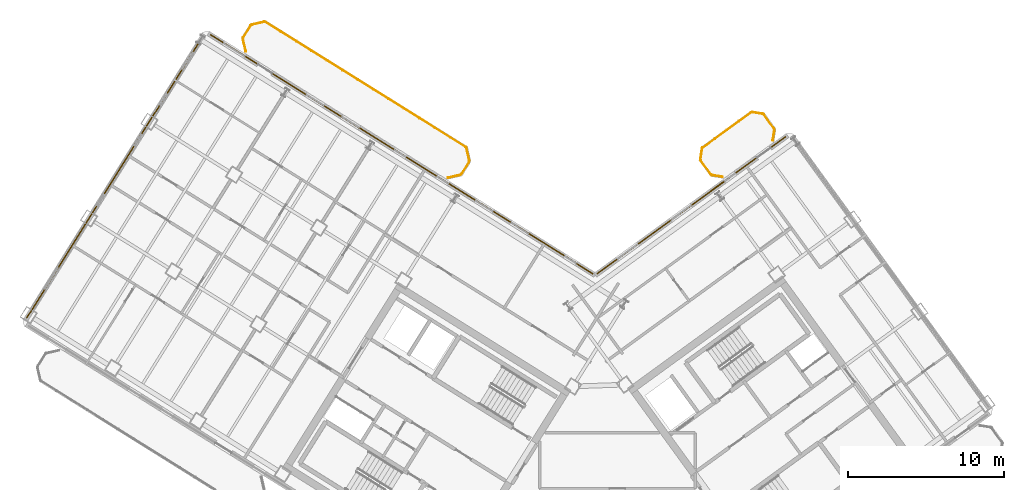
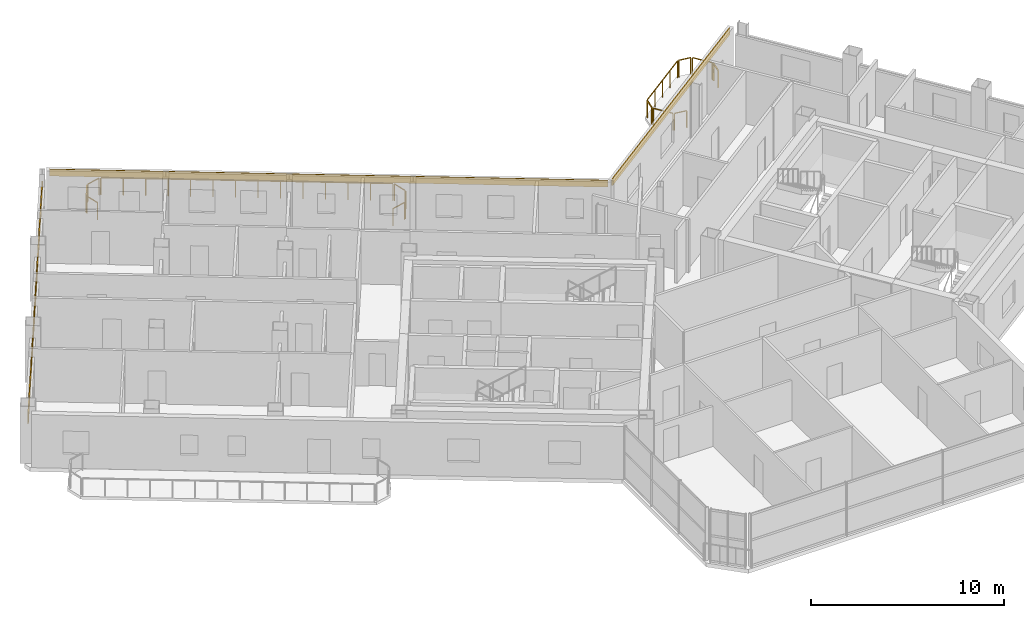
# One storey, part 21 of 21: 14 railings, 3 coverings.
"""IFC4 building model written with IfcOpenShell, lengths in metres."""

from ifc_helpers import new_model, si_unit, direction, frame, origin, origin_2d, place, context, subcontext, project, spatial, rectangle, extrude, source, transform, mapped, material, layer, layer_set, type_object, element, save


model = new_model("IFC4")

# Units and contexts
model_context = context("Model", 3, precision=1e-05, world=origin(), true_north=direction((0.0, 1.0)))
body_context = subcontext(model_context, "Body", "Model", "MODEL_VIEW")
ifc_project = project(units=[si_unit("LENGTHUNIT", "METRE"), si_unit("AREAUNIT", "SQUARE_METRE"), si_unit("VOLUMEUNIT", "CUBIC_METRE"), si_unit("PLANEANGLEUNIT", "RADIAN"), si_unit("MASSUNIT", "GRAM", prefix="KILO")], contexts=[model_context])

# Site, building, storey
site_placement = place(None, origin())
site = spatial("IfcSite", under=ifc_project, at=site_placement, CompositionType="ELEMENT")
building_placement = place(site_placement, origin())
building = spatial("IfcBuilding", under=site, at=building_placement, Name="Tlacorven Tower", CompositionType="ELEMENT")
storey_placement = place(building_placement, frame((0.0, 0.0, 222.0)))
storey = spatial("IfcBuildingStorey", under=building, at=storey_placement, Name="L56", CompositionType="ELEMENT", Elevation=222.0)

# Railings
ifc_material_1 = material(Name="Aluminium and painted steel balustrade", Category="steel")
railing_type = type_object("IfcRailingType", Name="RL-BAL-1100", PredefinedType="BALUSTRADE", material=ifc_material_1)
shared_shape_1 = source(origin(), body_context, "Body", "SweptSolid", [
    extrude(rectangle(XDim=0.048095703125, YDim=0.048095703125, at=origin_2d()), frame((0.0, 0.0, 1.076171875), z_axis=(0.974345290916, 0.225058334816, 0.0), x_axis=(-0.225058334816, 0.974345290916, 0.0)), (0.0, 0.0, 1.0), 0.80712890625),
    extrude(rectangle(XDim=0.0419921875, YDim=0.0419921875, at=origin_2d()), origin(), (0.0, 0.0, 1.0), 1.052001953125),
    extrude(rectangle(XDim=0.0419921875, YDim=0.0419921875, at=origin_2d()), frame((0.786376953125, 0.181640625, 0.0)), (0.0, 0.0, 1.0), 1.052001953125),
])
railing_1_placement = place(storey_placement, frame((20.2138671875, 47.643798828125, 0.0)))
element("IfcRailing", 1, at=railing_1_placement, inside=storey, type_object=railing_type, Name="BAL-L56-W-IN Guard Railing 6", PredefinedType="BALUSTRADE", context=body_context, shape_type="MappedRepresentation", body=[
    mapped(shared_shape_1, transform((0.0, 0.0, 0.0), scale=1.0)),
])
shared_shape_2 = source(origin(), body_context, "Body", "SweptSolid", [
    extrude(rectangle(XDim=0.048095703125, YDim=0.048095703125, at=origin_2d()), frame((0.0, 0.0, 1.076171875), z_axis=(-0.987661653326, 0.156602868908, 0.0), x_axis=(-0.156602868908, -0.987661653326, 0.0)), (0.0, 0.0, 1.0), 0.665771484375),
    extrude(rectangle(XDim=0.0419921875, YDim=0.0419921875, at=origin_2d()), origin(), (0.0, 0.0, 1.0), 1.052001953125),
    extrude(rectangle(XDim=0.0419921875, YDim=0.0419921875, at=origin_2d()), frame((-0.657470703125, 0.104248046875, 0.0)), (0.0, 0.0, 1.0), 1.052001953125),
])
railing_2_placement = place(storey_placement, frame((50.359130859375, 37.891845703125, 0.0)))
element("IfcRailing", 2, at=railing_2_placement, inside=storey, type_object=railing_type, Name="BAL-L56-E-IN Guard Railing 1", PredefinedType="BALUSTRADE", context=body_context, shape_type="MappedRepresentation", body=[
    mapped(shared_shape_2, transform((0.0, 0.0, 0.0), scale=1.0)),
])
shared_shape_3 = source(origin(), body_context, "Body", "SweptSolid", [
    extrude(rectangle(XDim=0.048095703125, YDim=0.048095703125, at=origin_2d()), frame((0.0, 0.0, 1.076171875), z_axis=(0.156602868908, 0.987661653326, 0.0), x_axis=(-0.987661653326, 0.156602868908, 0.0)), (0.0, 0.0, 1.0), 0.665771484375),
    extrude(rectangle(XDim=0.0419921875, YDim=0.0419921875, at=origin_2d()), origin(), (0.0, 0.0, 1.0), 1.052001953125),
    extrude(rectangle(XDim=0.0419921875, YDim=0.0419921875, at=origin_2d()), frame((0.104248046875, 0.657470703125, 0.0)), (0.0, 0.0, 1.0), 1.052001953125),
])
railing_3_placement = place(storey_placement, frame((48.947509765625, 39.033935546875, 0.0)))
element("IfcRailing", 3, at=railing_3_placement, inside=storey, type_object=railing_type, Name="BAL-L56-E-IN Guard Railing 3", PredefinedType="BALUSTRADE", context=body_context, shape_type="MappedRepresentation", body=[
    mapped(shared_shape_3, transform((0.0, 0.0, 0.0), scale=1.0)),
])
shared_shape_4 = source(origin(), body_context, "Body", "SweptSolid", [
    extrude(rectangle(XDim=0.048095703125, YDim=0.048095703125, at=origin_2d()), frame((0.0, 0.0, 1.076171875), z_axis=(-0.156245081039, -0.987718317463, 0.0), x_axis=(0.987718317463, -0.156245081039, 0.0)), (0.0, 0.0, 1.0), 0.66552734375),
    extrude(rectangle(XDim=0.0419921875, YDim=0.0419921875, at=origin_2d()), origin(), (0.0, 0.0, 1.0), 1.052001953125),
    extrude(rectangle(XDim=0.0419921875, YDim=0.0419921875, at=origin_2d()), frame((-0.10400390625, -0.657470703125, 0.0)), (0.0, 0.0, 1.0), 1.052001953125),
])
railing_4_placement = place(storey_placement, frame((53.689453125, 40.893310546875, 0.0)))
element("IfcRailing", 4, at=railing_4_placement, inside=storey, type_object=railing_type, Name="BAL-L56-E-IN Guard Railing 7", PredefinedType="BALUSTRADE", context=body_context, shape_type="MappedRepresentation", body=[
    mapped(shared_shape_4, transform((0.0, 0.0, 0.0), scale=1.0)),
])

# Covering
ifc_material_2 = material(Name="Precast concrete C45/55", Category="concrete")
ifc_layer = layer(ifc_material_2, 0.06005859375)
ifc_layer_set = layer_set([ifc_layer], Name="Precast concrete C45/55")
covering_type = type_object("IfcCoveringType", Name="CV-CLD-TERC", PredefinedType="CLADDING", material=ifc_layer_set)
shared_shape_5 = source(origin(), body_context, "Body", "SweptSolid", [
    extrude(rectangle(XDim=21.287353515625, YDim=0.06005859375, at=origin_2d()), origin(), (0.0, 0.0, 1.0), 0.419921875),
])
covering_1_placement = place(storey_placement, frame((11.419677734375, 37.864013671875, 2.405029296875), z_axis=(0.0, 0.0, 1.0), x_axis=(0.529919147866, 0.848048168871, 0.0)))
element("IfcCovering", 5, at=covering_1_placement, inside=storey, type_object=covering_type, Name="L56 Masonry-Frame Spandrel Cladding 2", PredefinedType="CLADDING", context=body_context, shape_type="MappedRepresentation", body=[
    mapped(shared_shape_5, transform((0.0, 0.0, 0.0), scale=1.0)),
])

# Railings
shared_shape_6 = source(origin(), body_context, "Body", "SweptSolid", [
    extrude(rectangle(XDim=0.048095703125, YDim=0.048095703125, at=origin_2d()), frame((0.0, 0.0, 1.076171875), z_axis=(0.529998940003, 0.847998304005, 0.0), x_axis=(-0.847998304005, 0.529998940003, 0.0)), (0.0, 0.0, 1.0), 0.912109375),
    extrude(rectangle(XDim=0.0419921875, YDim=0.0419921875, at=origin_2d()), origin(), (0.0, 0.0, 1.0), 1.052001953125),
    extrude(rectangle(XDim=0.0419921875, YDim=0.0419921875, at=origin_2d()), frame((0.4833984375, 0.7734375, 0.0)), (0.0, 0.0, 1.0), 1.052001953125),
])
railing_5_placement = place(storey_placement, frame((19.6552734375, 46.816650390625, 0.0)))
element("IfcRailing", 6, at=railing_5_placement, inside=storey, type_object=railing_type, Name="BAL-L56-W-IN Guard Railing 5", PredefinedType="BALUSTRADE", context=body_context, shape_type="MappedRepresentation", body=[
    mapped(shared_shape_6, transform((0.0, 0.0, 0.0), scale=1.0)),
])
shared_shape_7 = source(origin(), body_context, "Body", "SweptSolid", [
    extrude(rectangle(XDim=0.048095703125, YDim=0.048095703125, at=origin_2d()), frame((0.0, 0.0, 1.076171875), z_axis=(0.224992020761, -0.974360606036, 0.0), x_axis=(0.974360606036, 0.224992020761, 0.0)), (0.0, 0.0, 1.0), 0.807373046875),
    extrude(rectangle(XDim=0.0419921875, YDim=0.0419921875, at=origin_2d()), origin(), (0.0, 0.0, 1.0), 1.052001953125),
    extrude(rectangle(XDim=0.0419921875, YDim=0.0419921875, at=origin_2d()), frame((0.181640625, -0.78662109375, 0.0)), (0.0, 0.0, 1.0), 1.052001953125),
])
railing_6_placement = place(storey_placement, frame((33.965087890625, 39.72412109375, 0.0)))
element("IfcRailing", 7, at=railing_6_placement, inside=storey, type_object=railing_type, Name="BAL-L56-W-IN Guard Railing 1", PredefinedType="BALUSTRADE", context=body_context, shape_type="MappedRepresentation", body=[
    mapped(shared_shape_7, transform((0.0, 0.0, 0.0), scale=1.0)),
])
shared_shape_8 = source(origin(), body_context, "Body", "SweptSolid", [
    extrude(rectangle(XDim=0.048095703125, YDim=0.048095703125, at=origin_2d()), frame((0.0, 0.0, 1.076171875), z_axis=(-0.529998940003, -0.847998304005, 0.0), x_axis=(0.847998304005, -0.529998940003, 0.0)), (0.0, 0.0, 1.0), 0.912109375),
    extrude(rectangle(XDim=0.0419921875, YDim=0.0419921875, at=origin_2d()), origin(), (0.0, 0.0, 1.0), 1.052001953125),
    extrude(rectangle(XDim=0.0419921875, YDim=0.0419921875, at=origin_2d()), frame((-0.4833984375, -0.7734375, 0.0)), (0.0, 0.0, 1.0), 1.052001953125),
])
railing_7_placement = place(storey_placement, frame((34.131591796875, 38.846435546875, 0.0)))
element("IfcRailing", 8, at=railing_7_placement, inside=storey, type_object=railing_type, Name="BAL-L56-W-IN Guard Railing 2", PredefinedType="BALUSTRADE", context=body_context, shape_type="MappedRepresentation", body=[
    mapped(shared_shape_8, transform((0.0, 0.0, 0.0), scale=1.0)),
])
shared_shape_9 = source(origin(), body_context, "Body", "SweptSolid", [
    extrude(rectangle(XDim=0.048095703125, YDim=0.048095703125, at=origin_2d()), frame((0.0, 0.0, 1.076171875), z_axis=(-0.974360606036, -0.224992020761, 0.0), x_axis=(0.224992020761, -0.974360606036, 0.0)), (0.0, 0.0, 1.0), 0.807373046875),
    extrude(rectangle(XDim=0.0419921875, YDim=0.0419921875, at=origin_2d()), origin(), (0.0, 0.0, 1.0), 1.052001953125),
    extrude(rectangle(XDim=0.0419921875, YDim=0.0419921875, at=origin_2d()), frame((-0.78662109375, -0.181640625, 0.0)), (0.0, 0.0, 1.0), 1.052001953125),
])
railing_8_placement = place(storey_placement, frame((33.572998046875, 38.019287109375, 0.0)))
element("IfcRailing", 9, at=railing_8_placement, inside=storey, type_object=railing_type, Name="BAL-L56-W-IN Guard Railing 3", PredefinedType="BALUSTRADE", context=body_context, shape_type="MappedRepresentation", body=[
    mapped(shared_shape_9, transform((0.0, 0.0, 0.0), scale=1.0)),
])
shared_shape_10 = source(origin(), body_context, "Body", "SweptSolid", [
    extrude(rectangle(XDim=0.048095703125, YDim=0.048095703125, at=origin_2d()), frame((0.0, 0.0, 1.076171875), z_axis=(-0.22470489119, 0.974426863277, 0.0), x_axis=(-0.974426863277, -0.22470489119, 0.0)), (0.0, 0.0, 1.0), 0.807373046875),
    extrude(rectangle(XDim=0.0419921875, YDim=0.0419921875, at=origin_2d()), origin(), (0.0, 0.0, 1.0), 1.052001953125),
    extrude(rectangle(XDim=0.0419921875, YDim=0.0419921875, at=origin_2d()), frame((-0.181396484375, 0.78662109375, 0.0)), (0.0, 0.0, 1.0), 1.052001953125),
])
railing_9_placement = place(storey_placement, frame((19.821533203125, 45.93896484375, 0.0)))
element("IfcRailing", 10, at=railing_9_placement, inside=storey, type_object=railing_type, Name="BAL-L56-W-IN Guard Railing 4", PredefinedType="BALUSTRADE", context=body_context, shape_type="MappedRepresentation", body=[
    mapped(shared_shape_10, transform((0.0, 0.0, 0.0), scale=1.0)),
])
shared_shape_11 = source(origin(), body_context, "Body", "SweptSolid", [
    extrude(rectangle(XDim=0.048095703125, YDim=0.048095703125, at=origin_2d()), frame((0.0, 0.0, 1.076171875), z_axis=(0.848051830527, -0.529913287944, 0.0), x_axis=(0.529913287944, 0.848051830527, 0.0)), (0.0, 0.0, 1.0), 15.1171875),
    extrude(rectangle(XDim=0.0419921875, YDim=0.0419921875, at=origin_2d()), origin(), (0.0, 0.0, 1.0), 1.052001953125),
    extrude(rectangle(XDim=0.0419921875, YDim=0.0419921875, at=origin_2d()), frame((0.986083984375, -0.6162109375, 0.0)), (0.0, 0.0, 1.0), 1.052001953125),
    extrude(rectangle(XDim=0.0419921875, YDim=0.0419921875, at=origin_2d()), frame((1.972412109375, -1.232421875, 0.0)), (0.0, 0.0, 1.0), 1.052001953125),
    extrude(rectangle(XDim=0.0419921875, YDim=0.0419921875, at=origin_2d()), frame((2.95849609375, -1.8486328125, 0.0)), (0.0, 0.0, 1.0), 1.052001953125),
    extrude(rectangle(XDim=0.0419921875, YDim=0.0419921875, at=origin_2d()), frame((3.944580078125, -2.46484375, 0.0)), (0.0, 0.0, 1.0), 1.052001953125),
    extrude(rectangle(XDim=0.0419921875, YDim=0.0419921875, at=origin_2d()), frame((4.930908203125, -3.0810546875, 0.0)), (0.0, 0.0, 1.0), 1.052001953125),
    extrude(rectangle(XDim=0.0419921875, YDim=0.0419921875, at=origin_2d()), frame((5.9169921875, -3.697265625, 0.0)), (0.0, 0.0, 1.0), 1.052001953125),
    extrude(rectangle(XDim=0.0419921875, YDim=0.0419921875, at=origin_2d()), frame((6.903076171875, -4.3134765625, 0.0)), (0.0, 0.0, 1.0), 1.052001953125),
    extrude(rectangle(XDim=0.0419921875, YDim=0.0419921875, at=origin_2d()), frame((7.88916015625, -4.9296875, 0.0)), (0.0, 0.0, 1.0), 1.052001953125),
    extrude(rectangle(XDim=0.0419921875, YDim=0.0419921875, at=origin_2d()), frame((8.87548828125, -5.5458984375, 0.0)), (0.0, 0.0, 1.0), 1.052001953125),
    extrude(rectangle(XDim=0.0419921875, YDim=0.0419921875, at=origin_2d()), frame((9.861572265625, -6.162109375, 0.0)), (0.0, 0.0, 1.0), 1.052001953125),
    extrude(rectangle(XDim=0.0419921875, YDim=0.0419921875, at=origin_2d()), frame((10.84765625, -6.7783203125, 0.0)), (0.0, 0.0, 1.0), 1.052001953125),
    extrude(rectangle(XDim=0.0419921875, YDim=0.0419921875, at=origin_2d()), frame((11.833984375, -7.39453125, 0.0)), (0.0, 0.0, 1.0), 1.052001953125),
    extrude(rectangle(XDim=0.0419921875, YDim=0.0419921875, at=origin_2d()), frame((12.820068359375, -8.0107421875, 0.0)), (0.0, 0.0, 1.0), 1.052001953125),
])
railing_10_placement = place(storey_placement, frame((21.091552734375, 47.81005859375, 0.0)))
element("IfcRailing", 11, at=railing_10_placement, inside=storey, type_object=railing_type, Name="BAL-L56-W-IN Guard Railing 7", PredefinedType="BALUSTRADE", context=body_context, shape_type="MappedRepresentation", body=[
    mapped(shared_shape_11, transform((0.0, 0.0, 0.0), scale=1.0)),
])
shared_shape_12 = source(origin(), body_context, "Body", "SweptSolid", [
    extrude(rectangle(XDim=0.048095703125, YDim=0.048095703125, at=origin_2d()), frame((0.0, 0.0, 1.076171875), z_axis=(-0.587636431696, 0.809125097957, 0.0), x_axis=(-0.809125097957, -0.587636431696, 0.0)), (0.0, 0.0, 1.0), 1.1123046875),
    extrude(rectangle(XDim=0.0419921875, YDim=0.0419921875, at=origin_2d()), origin(), (0.0, 0.0, 1.0), 1.052001953125),
    extrude(rectangle(XDim=0.0419921875, YDim=0.0419921875, at=origin_2d()), frame((-0.653564453125, 0.89990234375, 0.0)), (0.0, 0.0, 1.0), 1.052001953125),
])
railing_11_placement = place(storey_placement, frame((49.622802734375, 38.044189453125, 0.0)))
element("IfcRailing", 12, at=railing_11_placement, inside=storey, type_object=railing_type, Name="BAL-L56-E-IN Guard Railing 2", PredefinedType="BALUSTRADE", context=body_context, shape_type="MappedRepresentation", body=[
    mapped(shared_shape_12, transform((0.0, 0.0, 0.0), scale=1.0)),
])
shared_shape_13 = source(origin(), body_context, "Body", "SweptSolid", [
    extrude(rectangle(XDim=0.048095703125, YDim=0.048095703125, at=origin_2d()), frame((0.0, 0.0, 1.076171875), z_axis=(0.809018102573, 0.587783726986, 0.0), x_axis=(-0.587783726986, 0.809018102573, 0.0)), (0.0, 0.0, 1.0), 3.817138671875),
    extrude(rectangle(XDim=0.0419921875, YDim=0.0419921875, at=origin_2d()), origin(), (0.0, 0.0, 1.0), 1.052001953125),
    extrude(rectangle(XDim=0.0419921875, YDim=0.0419921875, at=origin_2d()), frame((0.77197265625, 0.56103515625, 0.0)), (0.0, 0.0, 1.0), 1.052001953125),
    extrude(rectangle(XDim=0.0419921875, YDim=0.0419921875, at=origin_2d()), frame((1.5439453125, 1.121826171875, 0.0)), (0.0, 0.0, 1.0), 1.052001953125),
    extrude(rectangle(XDim=0.0419921875, YDim=0.0419921875, at=origin_2d()), frame((2.316162109375, 1.6826171875, 0.0)), (0.0, 0.0, 1.0), 1.052001953125),
    extrude(rectangle(XDim=0.0419921875, YDim=0.0419921875, at=origin_2d()), frame((3.088134765625, 2.24365234375, 0.0)), (0.0, 0.0, 1.0), 1.052001953125),
])
railing_12_placement = place(storey_placement, frame((49.10009765625, 39.77001953125, 0.0)))
element("IfcRailing", 13, at=railing_12_placement, inside=storey, type_object=railing_type, Name="BAL-L56-E-IN Guard Railing 4", PredefinedType="BALUSTRADE", context=body_context, shape_type="MappedRepresentation", body=[
    mapped(shared_shape_13, transform((0.0, 0.0, 0.0), scale=1.0)),
])
shared_shape_14 = source(origin(), body_context, "Body", "SweptSolid", [
    extrude(rectangle(XDim=0.048095703125, YDim=0.048095703125, at=origin_2d()), frame((0.0, 0.0, 1.076171875), z_axis=(0.987661653326, -0.156602868908, 0.0), x_axis=(0.156602868908, 0.987661653326, 0.0)), (0.0, 0.0, 1.0), 0.665771484375),
    extrude(rectangle(XDim=0.0419921875, YDim=0.0419921875, at=origin_2d()), origin(), (0.0, 0.0, 1.0), 1.052001953125),
    extrude(rectangle(XDim=0.0419921875, YDim=0.0419921875, at=origin_2d()), frame((0.657470703125, -0.104248046875, 0.0)), (0.0, 0.0, 1.0), 1.052001953125),
])
railing_13_placement = place(storey_placement, frame((52.278076171875, 42.035400390625, 0.0)))
element("IfcRailing", 14, at=railing_13_placement, inside=storey, type_object=railing_type, Name="BAL-L56-E-IN Guard Railing 5", PredefinedType="BALUSTRADE", context=body_context, shape_type="MappedRepresentation", body=[
    mapped(shared_shape_14, transform((0.0, 0.0, 0.0), scale=1.0)),
])
shared_shape_15 = source(origin(), body_context, "Body", "SweptSolid", [
    extrude(rectangle(XDim=0.048095703125, YDim=0.048095703125, at=origin_2d()), frame((0.0, 0.0, 1.076171875), z_axis=(0.587780115446, -0.809020726488, 0.0), x_axis=(0.809020726488, 0.587780115446, 0.0)), (0.0, 0.0, 1.0), 1.1123046875),
    extrude(rectangle(XDim=0.0419921875, YDim=0.0419921875, at=origin_2d()), origin(), (0.0, 0.0, 1.0), 1.052001953125),
    extrude(rectangle(XDim=0.0419921875, YDim=0.0419921875, at=origin_2d()), frame((0.65380859375, -0.89990234375, 0.0)), (0.0, 0.0, 1.0), 1.052001953125),
])
railing_14_placement = place(storey_placement, frame((53.01416015625, 41.883056640625, 0.0)))
element("IfcRailing", 15, at=railing_14_placement, inside=storey, type_object=railing_type, Name="BAL-L56-E-IN Guard Railing 6", PredefinedType="BALUSTRADE", context=body_context, shape_type="MappedRepresentation", body=[
    mapped(shared_shape_15, transform((0.0, 0.0, 0.0), scale=1.0)),
])

# Coverings
shared_shape_16 = source(origin(), body_context, "Body", "SweptSolid", [
    extrude(rectangle(XDim=28.923095703125, YDim=0.06005859375, at=origin_2d()), origin(), (0.0, 0.0, 1.0), 0.419921875),
])
covering_2_placement = place(storey_placement, frame((29.815185546875, 39.34033203125, 2.929931640625), z_axis=(0.0, 0.0, 1.0), x_axis=(0.848048220257, -0.52991906563, 0.0)))
element("IfcCovering", 16, at=covering_2_placement, inside=storey, type_object=covering_type, Name="L56 Masonry-Frame Spandrel Cladding 3", PredefinedType="CLADDING", context=body_context, shape_type="MappedRepresentation", body=[
    mapped(shared_shape_16, transform((0.0, 0.0, 0.0), scale=1.0)),
])
shared_shape_17 = source(origin(), body_context, "Body", "SweptSolid", [
    extrude(rectangle(XDim=14.923095703125, YDim=0.06005859375, at=origin_2d()), origin(), (0.0, 0.0, 1.0), 0.419921875),
])
covering_3_placement = place(storey_placement, frame((48.3642578125, 36.0712890625, 2.929931640625), z_axis=(0.0, 0.0, 1.0), x_axis=(0.809016703631, 0.587785652468, 0.0)))
element("IfcCovering", 17, at=covering_3_placement, inside=storey, type_object=covering_type, Name="L56 Masonry-Frame Spandrel Cladding 4", PredefinedType="CLADDING", context=body_context, shape_type="MappedRepresentation", body=[
    mapped(shared_shape_17, transform((0.0, 0.0, 0.0), scale=1.0)),
])

save(model, "model.ifc")
